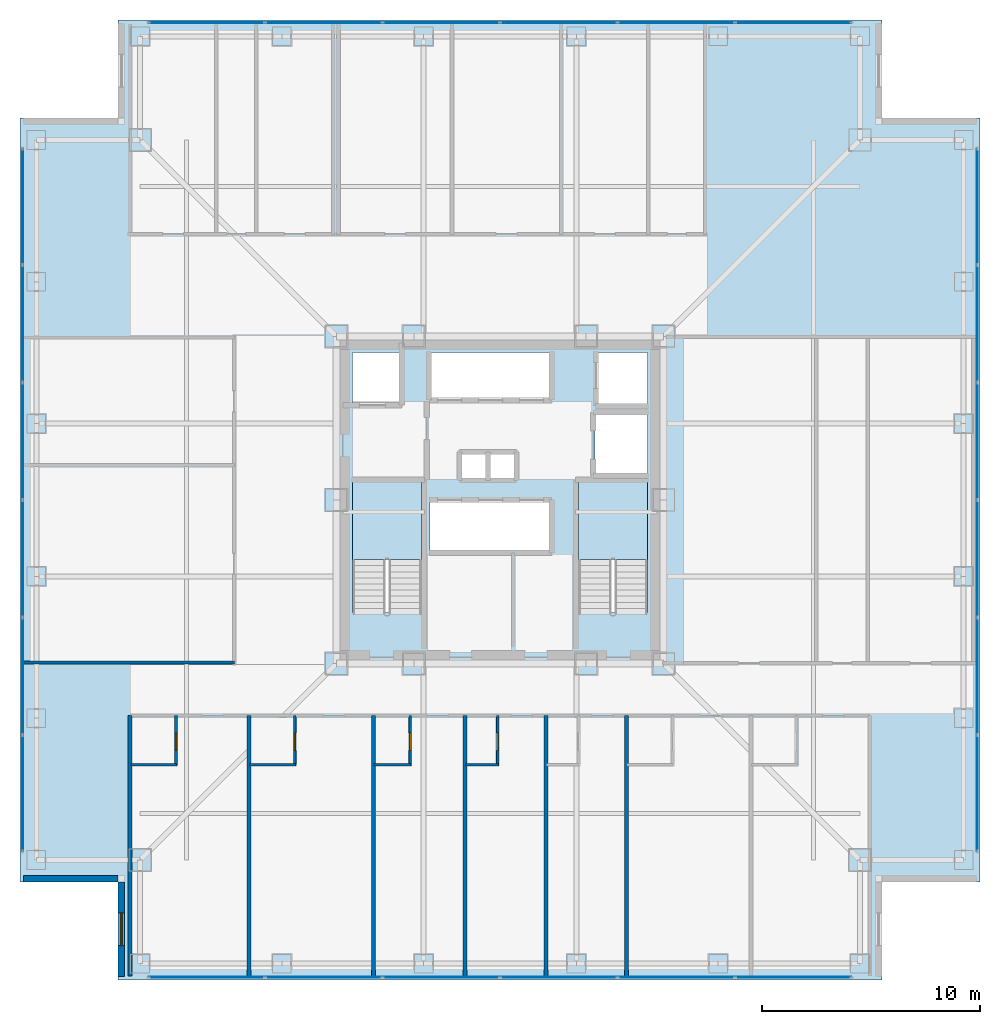
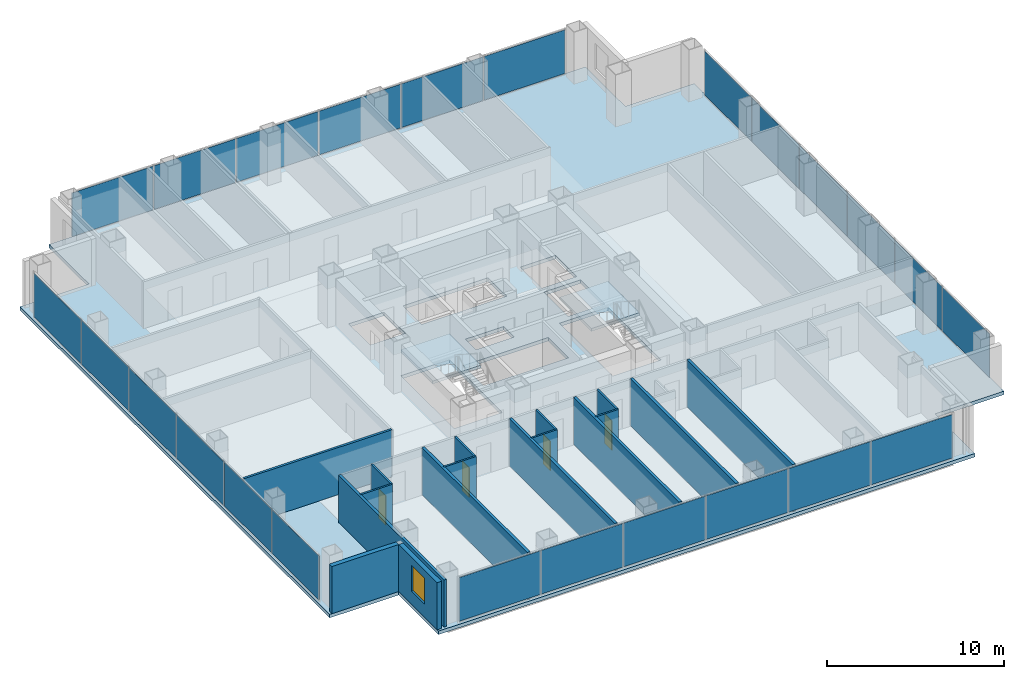
# One storey, part 12 of 18: 24 plates, 17 walls, 4 doors, 3 slabs, 1 window, 5 openings, 6 elements without a shape of their own.
"""IFC4 building model written with IfcOpenShell, lengths in metres."""

from ifc_helpers import new_model, si_unit, direction, frame, frame_2d, origin, origin_2d, place, context, subcontext, project, spatial, polyline, rectangle, outline, extrude, material, layer, layer_set, type_object, element, fill, aggregate, save


model = new_model("IFC4")

# Units and contexts
model_context = context("Model", 3, precision=1e-05, world=origin(), true_north=direction((0.0, 1.0)))
body_context = subcontext(model_context, "Body", "Model", "MODEL_VIEW")
ifc_project = project(units=[si_unit("LENGTHUNIT", "METRE"), si_unit("AREAUNIT", "SQUARE_METRE"), si_unit("VOLUMEUNIT", "CUBIC_METRE"), si_unit("PLANEANGLEUNIT", "RADIAN"), si_unit("MASSUNIT", "GRAM", prefix="KILO")], contexts=[model_context])

# Site, building, storey
site_placement = place(None, origin())
site = spatial("IfcSite", under=ifc_project, at=site_placement, CompositionType="ELEMENT")
building_placement = place(site_placement, origin())
building = spatial("IfcBuilding", under=site, at=building_placement, Name="Trevonay Congress Spire", CompositionType="ELEMENT")
storey_placement = place(building_placement, frame((0.0, 0.0, 151.60009765625)))
storey = spatial("IfcBuildingStorey", under=building, at=storey_placement, Name="L39", CompositionType="ELEMENT", Elevation=151.60009765625)

# Curtain wall, plates
ifc_material_1 = material(Name="Pale Anodised Aluminium EN AW-6063-T6", Category="aluminium")
ifc_layer_1 = layer(ifc_material_1, 0.175048828125, Name="Pale Anodised Aluminium EN AW-6063-T6")
ifc_layer_set_1 = layer_set([ifc_layer_1], Name="Pale Anodised Aluminium EN AW-6063-T6")
curtain_wall_type = type_object("IfcCurtainWallType", Name="CW-SYS03-CONGRESS-PALE-METAL", PredefinedType="NOTDEFINED", material=ifc_layer_set_1)
curtain_wall_1_placement = place(storey_placement, origin())
curtain_wall_1 = element("IfcCurtainWall", 1, at=curtain_wall_1_placement, inside=storey, type_object=curtain_wall_type, Name="L39 S unitised curtain wall", PredefinedType="NOTDEFINED")
ifc_material_2 = material(Name="Insulated Low-E Vision Glass IGU", Category="glass")
ifc_layer_2 = layer(ifc_material_2, 0.035888671875, Name="Insulated Low-E Vision Glass IGU")
ifc_layer_set_2 = layer_set([ifc_layer_2], Name="Insulated Low-E Vision Glass IGU")
plate_type = type_object("IfcPlateType", Name="CW-PANEL-IGU36-SILVER", PredefinedType="CURTAIN_PANEL", material=ifc_layer_set_2)
plate_1_placement = place(storey_placement, frame((-13.443359375, -21.8798828125, 0.1201171875), z_axis=(0.0, 0.0, 1.0), x_axis=(1.0, 0.0, 0.0)))
plate_1 = element("IfcPlate", 2, at=plate_1_placement, type_object=plate_type, Name="CW03 panel 1.1", PredefinedType="CURTAIN_PANEL", context=body_context, shape_type="SweptSolid", body=[
    extrude(rectangle(XDim=5.293212890625, YDim=0.035888671875, at=origin_2d()), origin(), (0.0, 0.0, 1.0), 3.010009765625),
])
plate_2_placement = place(storey_placement, frame((-8.074951171875, -21.8798828125, 0.1201171875), z_axis=(0.0, 0.0, 1.0), x_axis=(1.0, 0.0, 0.0)))
plate_2 = element("IfcPlate", 3, at=plate_2_placement, type_object=plate_type, Name="CW03 panel 2.1", PredefinedType="CURTAIN_PANEL", context=body_context, shape_type="SweptSolid", body=[
    extrude(rectangle(XDim=5.3232421875, YDim=0.035888671875, at=origin_2d()), origin(), (0.0, 0.0, 1.0), 3.010009765625),
])
plate_3_placement = place(storey_placement, frame((-2.691650390625, -21.8798828125, 0.1201171875), z_axis=(0.0, 0.0, 1.0), x_axis=(1.0, 0.0, 0.0)))
plate_3 = element("IfcPlate", 4, at=plate_3_placement, type_object=plate_type, Name="CW03 panel 3.1", PredefinedType="CURTAIN_PANEL", context=body_context, shape_type="SweptSolid", body=[
    extrude(rectangle(XDim=5.3232421875, YDim=0.035888671875, at=origin_2d()), origin(), (0.0, 0.0, 1.0), 3.010009765625),
])
plate_4_placement = place(storey_placement, frame((2.691650390625, -21.8798828125, 0.1201171875), z_axis=(0.0, 0.0, 1.0), x_axis=(1.0, 0.0, 0.0)))
plate_4 = element("IfcPlate", 5, at=plate_4_placement, type_object=plate_type, Name="CW03 panel 4.1", PredefinedType="CURTAIN_PANEL", context=body_context, shape_type="SweptSolid", body=[
    extrude(rectangle(XDim=5.3232421875, YDim=0.035888671875, at=origin_2d()), origin(), (0.0, 0.0, 1.0), 3.010009765625),
])
plate_5_placement = place(storey_placement, frame((8.074951171875, -21.8798828125, 0.1201171875), z_axis=(0.0, 0.0, 1.0), x_axis=(1.0, 0.0, 0.0)))
plate_5 = element("IfcPlate", 6, at=plate_5_placement, type_object=plate_type, Name="CW03 panel 5.1", PredefinedType="CURTAIN_PANEL", context=body_context, shape_type="SweptSolid", body=[
    extrude(rectangle(XDim=5.3232421875, YDim=0.035888671875, at=origin_2d()), origin(), (0.0, 0.0, 1.0), 3.010009765625),
])
plate_6_placement = place(storey_placement, frame((13.443359375, -21.8798828125, 0.1201171875), z_axis=(0.0, 0.0, 1.0), x_axis=(1.0, 0.0, 0.0)))
plate_6 = element("IfcPlate", 7, at=plate_6_placement, type_object=plate_type, Name="CW03 panel 6.1", PredefinedType="CURTAIN_PANEL", context=body_context, shape_type="SweptSolid", body=[
    extrude(rectangle(XDim=5.293212890625, YDim=0.035888671875, at=origin_2d()), origin(), (0.0, 0.0, 1.0), 3.010009765625),
])
aggregate(curtain_wall_1, [plate_1, plate_2, plate_3, plate_4, plate_5, plate_6])

curtain_wall_2_placement = place(storey_placement, origin())
curtain_wall_2 = element("IfcCurtainWall", 8, at=curtain_wall_2_placement, inside=storey, type_object=curtain_wall_type, Name="L39 N unitised curtain wall", PredefinedType="NOTDEFINED")
plate_7_placement = place(storey_placement, frame((-13.443359375, 21.8798828125, 0.1201171875), z_axis=(0.0, 0.0, 1.0), x_axis=(1.0, 0.0, 0.0)))
plate_7 = element("IfcPlate", 9, at=plate_7_placement, type_object=plate_type, Name="CW03 panel 1.1", PredefinedType="CURTAIN_PANEL", context=body_context, shape_type="SweptSolid", body=[
    extrude(rectangle(XDim=5.293212890625, YDim=0.035888671875, at=origin_2d()), origin(), (0.0, 0.0, 1.0), 3.010009765625),
])
plate_8_placement = place(storey_placement, frame((-8.074951171875, 21.8798828125, 0.1201171875), z_axis=(0.0, 0.0, 1.0), x_axis=(1.0, 0.0, 0.0)))
plate_8 = element("IfcPlate", 10, at=plate_8_placement, type_object=plate_type, Name="CW03 panel 2.1", PredefinedType="CURTAIN_PANEL", context=body_context, shape_type="SweptSolid", body=[
    extrude(rectangle(XDim=5.3232421875, YDim=0.035888671875, at=origin_2d()), origin(), (0.0, 0.0, 1.0), 3.010009765625),
])
plate_9_placement = place(storey_placement, frame((-2.691650390625, 21.8798828125, 0.1201171875), z_axis=(0.0, 0.0, 1.0), x_axis=(1.0, 0.0, 0.0)))
plate_9 = element("IfcPlate", 11, at=plate_9_placement, type_object=plate_type, Name="CW03 panel 3.1", PredefinedType="CURTAIN_PANEL", context=body_context, shape_type="SweptSolid", body=[
    extrude(rectangle(XDim=5.3232421875, YDim=0.035888671875, at=origin_2d()), origin(), (0.0, 0.0, 1.0), 3.010009765625),
])
plate_10_placement = place(storey_placement, frame((2.691650390625, 21.8798828125, 0.1201171875), z_axis=(0.0, 0.0, 1.0), x_axis=(1.0, 0.0, 0.0)))
plate_10 = element("IfcPlate", 12, at=plate_10_placement, type_object=plate_type, Name="CW03 panel 4.1", PredefinedType="CURTAIN_PANEL", context=body_context, shape_type="SweptSolid", body=[
    extrude(rectangle(XDim=5.3232421875, YDim=0.035888671875, at=origin_2d()), origin(), (0.0, 0.0, 1.0), 3.010009765625),
])
plate_11_placement = place(storey_placement, frame((8.074951171875, 21.8798828125, 0.1201171875), z_axis=(0.0, 0.0, 1.0), x_axis=(1.0, 0.0, 0.0)))
plate_11 = element("IfcPlate", 13, at=plate_11_placement, type_object=plate_type, Name="CW03 panel 5.1", PredefinedType="CURTAIN_PANEL", context=body_context, shape_type="SweptSolid", body=[
    extrude(rectangle(XDim=5.3232421875, YDim=0.035888671875, at=origin_2d()), origin(), (0.0, 0.0, 1.0), 3.010009765625),
])
plate_12_placement = place(storey_placement, frame((13.443359375, 21.8798828125, 0.1201171875), z_axis=(0.0, 0.0, 1.0), x_axis=(1.0, 0.0, 0.0)))
plate_12 = element("IfcPlate", 14, at=plate_12_placement, type_object=plate_type, Name="CW03 panel 6.1", PredefinedType="CURTAIN_PANEL", context=body_context, shape_type="SweptSolid", body=[
    extrude(rectangle(XDim=5.293212890625, YDim=0.035888671875, at=origin_2d()), origin(), (0.0, 0.0, 1.0), 3.010009765625),
])
aggregate(curtain_wall_2, [plate_7, plate_8, plate_9, plate_10, plate_11, plate_12])

curtain_wall_3_placement = place(storey_placement, origin())
curtain_wall_3 = element("IfcCurtainWall", 15, at=curtain_wall_3_placement, inside=storey, type_object=curtain_wall_type, Name="L39 W unitised curtain wall", PredefinedType="NOTDEFINED")
plate_13_placement = place(storey_placement, frame((-21.8798828125, -13.443359375, 0.1201171875), z_axis=(0.0, 0.0, 1.0), x_axis=(0.0, 1.0, 0.0)))
plate_13 = element("IfcPlate", 16, at=plate_13_placement, type_object=plate_type, Name="CW03 panel 1.1", PredefinedType="CURTAIN_PANEL", context=body_context, shape_type="SweptSolid", body=[
    extrude(rectangle(XDim=5.293212890625, YDim=0.035888671875, at=origin_2d()), origin(), (0.0, 0.0, 1.0), 3.010009765625),
])
plate_14_placement = place(storey_placement, frame((-21.8798828125, -8.074951171875, 0.1201171875), z_axis=(0.0, 0.0, 1.0), x_axis=(0.0, 1.0, 0.0)))
plate_14 = element("IfcPlate", 17, at=plate_14_placement, type_object=plate_type, Name="CW03 panel 2.1", PredefinedType="CURTAIN_PANEL", context=body_context, shape_type="SweptSolid", body=[
    extrude(rectangle(XDim=5.3232421875, YDim=0.035888671875, at=origin_2d()), origin(), (0.0, 0.0, 1.0), 3.010009765625),
])
plate_15_placement = place(storey_placement, frame((-21.8798828125, -2.691650390625, 0.1201171875), z_axis=(0.0, 0.0, 1.0), x_axis=(0.0, 1.0, 0.0)))
plate_15 = element("IfcPlate", 18, at=plate_15_placement, type_object=plate_type, Name="CW03 panel 3.1", PredefinedType="CURTAIN_PANEL", context=body_context, shape_type="SweptSolid", body=[
    extrude(rectangle(XDim=5.3232421875, YDim=0.035888671875, at=origin_2d()), origin(), (0.0, 0.0, 1.0), 3.010009765625),
])
plate_16_placement = place(storey_placement, frame((-21.8798828125, 2.691650390625, 0.1201171875), z_axis=(0.0, 0.0, 1.0), x_axis=(0.0, 1.0, 0.0)))
plate_16 = element("IfcPlate", 19, at=plate_16_placement, type_object=plate_type, Name="CW03 panel 4.1", PredefinedType="CURTAIN_PANEL", context=body_context, shape_type="SweptSolid", body=[
    extrude(rectangle(XDim=5.3232421875, YDim=0.035888671875, at=origin_2d()), origin(), (0.0, 0.0, 1.0), 3.010009765625),
])
plate_17_placement = place(storey_placement, frame((-21.8798828125, 8.074951171875, 0.1201171875), z_axis=(0.0, 0.0, 1.0), x_axis=(0.0, 1.0, 0.0)))
plate_17 = element("IfcPlate", 20, at=plate_17_placement, type_object=plate_type, Name="CW03 panel 5.1", PredefinedType="CURTAIN_PANEL", context=body_context, shape_type="SweptSolid", body=[
    extrude(rectangle(XDim=5.3232421875, YDim=0.035888671875, at=origin_2d()), origin(), (0.0, 0.0, 1.0), 3.010009765625),
])
plate_18_placement = place(storey_placement, frame((-21.8798828125, 13.443359375, 0.1201171875), z_axis=(0.0, 0.0, 1.0), x_axis=(0.0, 1.0, 0.0)))
plate_18 = element("IfcPlate", 21, at=plate_18_placement, type_object=plate_type, Name="CW03 panel 6.1", PredefinedType="CURTAIN_PANEL", context=body_context, shape_type="SweptSolid", body=[
    extrude(rectangle(XDim=5.293212890625, YDim=0.035888671875, at=origin_2d()), origin(), (0.0, 0.0, 1.0), 3.010009765625),
])
aggregate(curtain_wall_3, [plate_13, plate_14, plate_15, plate_16, plate_17, plate_18])

curtain_wall_4_placement = place(storey_placement, origin())
curtain_wall_4 = element("IfcCurtainWall", 22, at=curtain_wall_4_placement, inside=storey, type_object=curtain_wall_type, Name="L39 E unitised curtain wall", PredefinedType="NOTDEFINED")
plate_19_placement = place(storey_placement, frame((21.8798828125, -13.443359375, 0.1201171875), z_axis=(0.0, 0.0, 1.0), x_axis=(0.0, 1.0, 0.0)))
plate_19 = element("IfcPlate", 23, at=plate_19_placement, type_object=plate_type, Name="CW03 panel 1.1", PredefinedType="CURTAIN_PANEL", context=body_context, shape_type="SweptSolid", body=[
    extrude(rectangle(XDim=5.293212890625, YDim=0.035888671875, at=origin_2d()), origin(), (0.0, 0.0, 1.0), 3.010009765625),
])
plate_20_placement = place(storey_placement, frame((21.8798828125, -8.074951171875, 0.1201171875), z_axis=(0.0, 0.0, 1.0), x_axis=(0.0, 1.0, 0.0)))
plate_20 = element("IfcPlate", 24, at=plate_20_placement, type_object=plate_type, Name="CW03 panel 2.1", PredefinedType="CURTAIN_PANEL", context=body_context, shape_type="SweptSolid", body=[
    extrude(rectangle(XDim=5.3232421875, YDim=0.035888671875, at=origin_2d()), origin(), (0.0, 0.0, 1.0), 3.010009765625),
])
plate_21_placement = place(storey_placement, frame((21.8798828125, -2.691650390625, 0.1201171875), z_axis=(0.0, 0.0, 1.0), x_axis=(0.0, 1.0, 0.0)))
plate_21 = element("IfcPlate", 25, at=plate_21_placement, type_object=plate_type, Name="CW03 panel 3.1", PredefinedType="CURTAIN_PANEL", context=body_context, shape_type="SweptSolid", body=[
    extrude(rectangle(XDim=5.3232421875, YDim=0.035888671875, at=origin_2d()), origin(), (0.0, 0.0, 1.0), 3.010009765625),
])
plate_22_placement = place(storey_placement, frame((21.8798828125, 2.691650390625, 0.1201171875), z_axis=(0.0, 0.0, 1.0), x_axis=(0.0, 1.0, 0.0)))
plate_22 = element("IfcPlate", 26, at=plate_22_placement, type_object=plate_type, Name="CW03 panel 4.1", PredefinedType="CURTAIN_PANEL", context=body_context, shape_type="SweptSolid", body=[
    extrude(rectangle(XDim=5.3232421875, YDim=0.035888671875, at=origin_2d()), origin(), (0.0, 0.0, 1.0), 3.010009765625),
])
plate_23_placement = place(storey_placement, frame((21.8798828125, 8.074951171875, 0.1201171875), z_axis=(0.0, 0.0, 1.0), x_axis=(0.0, 1.0, 0.0)))
plate_23 = element("IfcPlate", 27, at=plate_23_placement, type_object=plate_type, Name="CW03 panel 5.1", PredefinedType="CURTAIN_PANEL", context=body_context, shape_type="SweptSolid", body=[
    extrude(rectangle(XDim=5.3232421875, YDim=0.035888671875, at=origin_2d()), origin(), (0.0, 0.0, 1.0), 3.010009765625),
])
plate_24_placement = place(storey_placement, frame((21.8798828125, 13.443359375, 0.1201171875), z_axis=(0.0, 0.0, 1.0), x_axis=(0.0, 1.0, 0.0)))
plate_24 = element("IfcPlate", 28, at=plate_24_placement, type_object=plate_type, Name="CW03 panel 6.1", PredefinedType="CURTAIN_PANEL", context=body_context, shape_type="SweptSolid", body=[
    extrude(rectangle(XDim=5.293212890625, YDim=0.035888671875, at=origin_2d()), origin(), (0.0, 0.0, 1.0), 3.010009765625),
])
aggregate(curtain_wall_4, [plate_19, plate_20, plate_21, plate_22, plate_23, plate_24])

# Stair, slab
ifc_material_3 = material(Name="Concrete C40/50", Category="concrete")
stair_type_1 = type_object("IfcStairType", Name="STR-ST-1", PredefinedType="HALF_TURN_STAIR", material=ifc_material_3)
stair_1_placement = place(storey_placement, origin())
stair_1 = element("IfcStair", 29, at=stair_1_placement, inside=storey, type_object=stair_type_1, Name="L39 Protected Exit Stair ST-1", PredefinedType="HALF_TURN_STAIR")
ifc_layer_3 = layer(ifc_material_3, 0.199951171875, Name="Concrete C40/50")
ifc_layer_set_3 = layer_set([ifc_layer_3], Name="Concrete C40/50")
slab_type_1 = type_object("IfcSlabType", Name="SLB-STAIR-LAND-200", PredefinedType="LANDING", material=ifc_layer_set_3)
slab_1_placement = place(storey_placement, frame((0.0, 0.0, 1.599853515625)))
slab_1 = element("IfcSlab", 30, at=slab_1_placement, type_object=slab_type_1, Name="ST-1 landing 1", PredefinedType="LANDING", context=body_context, shape_type="SweptSolid", body=[
    extrude(outline(polyline([(-3.60009765625, -2.72998046875), (-3.60009765625, 0.85009765625), (-6.75, 0.85009765625), (-6.75, -2.72998046875), (-3.60009765625, -2.72998046875)])), origin(), (0.0, 0.0, 1.0), 0.199951171875),
])
aggregate(stair_1, [slab_1])

stair_type_2 = type_object("IfcStairType", Name="STR-ST-2", PredefinedType="HALF_TURN_STAIR", material=ifc_material_3)
stair_2_placement = place(storey_placement, origin())
stair_2 = element("IfcStair", 31, at=stair_2_placement, inside=storey, type_object=stair_type_2, Name="L39 Protected Exit Stair ST-2", PredefinedType="HALF_TURN_STAIR")
slab_2_placement = place(storey_placement, frame((0.0, 0.0, 1.599853515625)))
slab_2 = element("IfcSlab", 32, at=slab_2_placement, type_object=slab_type_1, Name="ST-2 landing 1", PredefinedType="LANDING", context=body_context, shape_type="SweptSolid", body=[
    extrude(outline(polyline([(6.75, -2.72998046875), (6.75, 0.85009765625), (3.60009765625, 0.85009765625), (3.60009765625, -2.72998046875), (6.75, -2.72998046875)])), origin(), (0.0, 0.0, 1.0), 0.199951171875),
])
aggregate(stair_2, [slab_2])

# Slab
ifc_layer_4 = layer(ifc_material_3, 0.239990234375, Name="Concrete C40/50")
ifc_layer_set_4 = layer_set([ifc_layer_4], Name="Concrete C40/50")
slab_type_2 = type_object("IfcSlabType", Name="SLB-TOW2-240", PredefinedType="FLOOR", material=ifc_layer_set_4)
slab_3_placement = place(storey_placement, frame((0.0, 0.0, -0.239990234375)))
element("IfcSlab", 33, at=slab_3_placement, inside=storey, type_object=slab_type_2, Name="L39 structural floor slab", PredefinedType="FLOOR", context=body_context, shape_type="SweptSolid", body=[
    extrude(outline(polyline([(-17.5, -22.0), (17.5, -22.0), (17.5, -17.5), (22.0, -17.5), (22.0, 17.5), (17.5, 17.5), (17.5, 22.0), (-17.5, 22.0), (-17.5, 17.5), (-22.0, 17.5), (-22.0, -17.5), (-17.5, -17.5), (-17.5, -22.0)]), holes=[polyline([(-3.60009765625, -5.14990234375), (-3.60009765625, 0.85009765625), (-6.75, 0.85009765625), (-6.75, -5.14990234375), (-3.60009765625, -5.14990234375)]), polyline([(6.75, -5.14990234375), (6.75, 0.85009765625), (3.60009765625, 0.85009765625), (3.60009765625, -5.14990234375), (6.75, -5.14990234375)]), polyline([(-3.199951171875, -2.35009765625), (2.340087890625, -2.35009765625), (2.340087890625, -0.050048828125), (-3.199951171875, -0.050048828125), (-3.199951171875, -2.35009765625)]), polyline([(-3.199951171875, 4.64990234375), (2.340087890625, 4.64990234375), (2.340087890625, 6.75), (-3.199951171875, 6.75), (-3.199951171875, 4.64990234375)]), polyline([(-6.75, 4.35009765625), (-4.449951171875, 4.35009765625), (-4.449951171875, 6.75), (-6.75, 6.75), (-6.75, 4.35009765625)]), polyline([(4.449951171875, 4.35009765625), (6.75, 4.35009765625), (6.75, 6.75), (4.449951171875, 6.75), (4.449951171875, 4.35009765625)]), polyline([(4.35009765625, 1.199951171875), (6.75, 1.199951171875), (6.75, 3.949951171875), (4.35009765625, 3.949951171875), (4.35009765625, 1.199951171875)]), polyline([(-1.800048828125, 0.949951171875), (0.699951171875, 0.949951171875), (0.699951171875, 2.14990234375), (-1.800048828125, 2.14990234375), (-1.800048828125, 0.949951171875)])]), origin(), (0.0, 0.0, 1.0), 0.239990234375),
])

# Wall, opening, door
ifc_layer_5 = layer(ifc_material_3, 0.1201171875, Name="Concrete C40/50")
ifc_layer_set_5 = layer_set([ifc_layer_5], Name="Concrete C40/50")
wall_type_1 = type_object("IfcWallType", Name="WAL-BATH-120", PredefinedType="PLUMBINGWALL", material=ifc_layer_set_5)
wall_1_placement = place(storey_placement, frame((-14.85009765625, -12.1298828125, 0.0), z_axis=(0.0, 0.0, 1.0), x_axis=(0.0, 1.0, 0.0)))
wall_1 = element("IfcWall", 34, at=wall_1_placement, inside=storey, type_object=wall_type_1, Name="L39 interior wall WH-L39S-BS1", PredefinedType="PLUMBINGWALL", context=body_context, shape_type="SweptSolid", body=[
    extrude(rectangle(XDim=2.25, YDim=0.1201171875, at=frame_2d((1.125, 0.0))), origin(), (0.0, 0.0, 1.0), 3.25),
])
opening_1_placement = place(wall_1_placement, frame((0.64990234375, 0.0, 0.0)))
opening_1 = element("IfcOpeningElement", 35, at=opening_1_placement, cuts=wall_1, Name="Opening D11", PredefinedType="OPENING", context=body_context, shape_type="SweptSolid", body=[
    extrude(rectangle(XDim=0.800048828125, YDim=2.050048828125, at=frame_2d((0.39990234375, 1.02490234375))), frame((0.0, 0.070068359375, 0.0), z_axis=(0.0, -1.0, 0.0), x_axis=(1.0, 0.0, 0.0)), (0.0, 0.0, 1.0), 0.14013671875),
])
door_type = type_object("IfcDoorType", Name="DOR-BATH-80", OperationType="NOTDEFINED", PredefinedType="DOOR", material=ifc_material_1)
door_1_placement = place(opening_1_placement, origin())
door_1 = element("IfcDoor", 36, at=door_1_placement, inside=storey, type_object=door_type, Name="L39 En-suite Bathroom Door", OperationType="SINGLE_SWING_LEFT", OverallHeight=2.050048828125, OverallWidth=0.800048828125, PredefinedType="DOOR", context=body_context, shape_type="SweptSolid", body=[
    extrude(rectangle(XDim=0.800048828125, YDim=2.050048828125, at=frame_2d((0.39990234375, 1.02490234375))), frame((0.0, 0.02490234375, 0.0), z_axis=(0.0, -1.0, 0.0), x_axis=(1.0, 0.0, 0.0)), (0.0, 0.0, 1.0), 0.050048828125),
])
fill(opening_1, door_1)

# Wall
wall_2_placement = place(storey_placement, frame((-16.919921875, -12.1298828125, 0.0), z_axis=(0.0, 0.0, 1.0), x_axis=(1.0, 0.0, 0.0)))
element("IfcWall", 37, at=wall_2_placement, inside=storey, type_object=wall_type_1, Name="L39 interior wall WH-L39S-BF1", PredefinedType="PLUMBINGWALL", context=body_context, shape_type="SweptSolid", body=[
    extrude(rectangle(XDim=2.099853515625, YDim=0.1201171875, at=frame_2d((1.0498046875, 0.0))), origin(), (0.0, 0.0, 1.0), 3.25),
])

# Wall, opening, door
wall_3_placement = place(storey_placement, frame((-9.39990234375, -12.1298828125, 0.0), z_axis=(0.0, 0.0, 1.0), x_axis=(0.0, 1.0, 0.0)))
wall_3 = element("IfcWall", 38, at=wall_3_placement, inside=storey, type_object=wall_type_1, Name="L39 interior wall WH-L39S-BS2", PredefinedType="PLUMBINGWALL", context=body_context, shape_type="SweptSolid", body=[
    extrude(rectangle(XDim=2.25, YDim=0.1201171875, at=frame_2d((1.125, 0.0))), origin(), (0.0, 0.0, 1.0), 3.25),
])
opening_2_placement = place(wall_3_placement, frame((0.64990234375, 0.0, 0.0)))
opening_2 = element("IfcOpeningElement", 39, at=opening_2_placement, cuts=wall_3, Name="Opening D11", PredefinedType="OPENING", context=body_context, shape_type="SweptSolid", body=[
    extrude(rectangle(XDim=0.800048828125, YDim=2.050048828125, at=frame_2d((0.39990234375, 1.02490234375))), frame((0.0, 0.070068359375, 0.0), z_axis=(0.0, -1.0, 0.0), x_axis=(1.0, 0.0, 0.0)), (0.0, 0.0, 1.0), 0.14013671875),
])
door_2_placement = place(opening_2_placement, origin())
door_2 = element("IfcDoor", 40, at=door_2_placement, inside=storey, type_object=door_type, Name="L39 En-suite Bathroom Door", OperationType="SINGLE_SWING_RIGHT", OverallHeight=2.050048828125, OverallWidth=0.800048828125, PredefinedType="DOOR", context=body_context, shape_type="SweptSolid", body=[
    extrude(rectangle(XDim=0.800048828125, YDim=2.050048828125, at=frame_2d((0.39990234375, 1.02490234375))), frame((0.0, 0.02490234375, 0.0), z_axis=(0.0, -1.0, 0.0), x_axis=(1.0, 0.0, 0.0)), (0.0, 0.0, 1.0), 0.050048828125),
])
fill(opening_2, door_2)

# Wall
wall_4_placement = place(storey_placement, frame((-11.469970703125, -12.1298828125, 0.0), z_axis=(0.0, 0.0, 1.0), x_axis=(1.0, 0.0, 0.0)))
element("IfcWall", 41, at=wall_4_placement, inside=storey, type_object=wall_type_1, Name="L39 interior wall WH-L39S-BF2", PredefinedType="PLUMBINGWALL", context=body_context, shape_type="SweptSolid", body=[
    extrude(rectangle(XDim=2.099853515625, YDim=0.1201171875, at=frame_2d((1.0498046875, 0.0))), origin(), (0.0, 0.0, 1.0), 3.25),
])

# Wall, opening, door
wall_5_placement = place(storey_placement, frame((-4.114990234375, -12.1298828125, 0.0), z_axis=(0.0, 0.0, 1.0), x_axis=(0.0, 1.0, 0.0)))
wall_5 = element("IfcWall", 42, at=wall_5_placement, inside=storey, type_object=wall_type_1, Name="L39 interior wall WH-L39S-BS3", PredefinedType="PLUMBINGWALL", context=body_context, shape_type="SweptSolid", body=[
    extrude(rectangle(XDim=2.25, YDim=0.1201171875, at=frame_2d((1.125, 0.0))), origin(), (0.0, 0.0, 1.0), 3.25),
])
opening_3_placement = place(wall_5_placement, frame((0.64990234375, 0.0, 0.0)))
opening_3 = element("IfcOpeningElement", 43, at=opening_3_placement, cuts=wall_5, Name="Opening D11", PredefinedType="OPENING", context=body_context, shape_type="SweptSolid", body=[
    extrude(rectangle(XDim=0.800048828125, YDim=2.050048828125, at=frame_2d((0.39990234375, 1.02490234375))), frame((0.0, 0.070068359375, 0.0), z_axis=(0.0, -1.0, 0.0), x_axis=(1.0, 0.0, 0.0)), (0.0, 0.0, 1.0), 0.14013671875),
])
door_3_placement = place(opening_3_placement, origin())
door_3 = element("IfcDoor", 44, at=door_3_placement, inside=storey, type_object=door_type, Name="L39 En-suite Bathroom Door", OperationType="SINGLE_SWING_LEFT", OverallHeight=2.050048828125, OverallWidth=0.800048828125, PredefinedType="DOOR", context=body_context, shape_type="SweptSolid", body=[
    extrude(rectangle(XDim=0.800048828125, YDim=2.050048828125, at=frame_2d((0.39990234375, 1.02490234375))), frame((0.0, 0.02490234375, 0.0), z_axis=(0.0, -1.0, 0.0), x_axis=(1.0, 0.0, 0.0)), (0.0, 0.0, 1.0), 0.050048828125),
])
fill(opening_3, door_3)

# Wall
wall_6_placement = place(storey_placement, frame((-5.77001953125, -12.1298828125, 0.0), z_axis=(0.0, 0.0, 1.0), x_axis=(1.0, 0.0, 0.0)))
element("IfcWall", 45, at=wall_6_placement, inside=storey, type_object=wall_type_1, Name="L39 interior wall WH-L39S-BF3", PredefinedType="PLUMBINGWALL", context=body_context, shape_type="SweptSolid", body=[
    extrude(rectangle(XDim=1.68505859375, YDim=0.1201171875, at=frame_2d((0.842529296875, 0.0))), origin(), (0.0, 0.0, 1.0), 3.25),
])

# Wall, opening, door
wall_7_placement = place(storey_placement, frame((-0.10498046875, -12.1298828125, 0.0), z_axis=(0.0, 0.0, 1.0), x_axis=(0.0, 1.0, 0.0)))
wall_7 = element("IfcWall", 46, at=wall_7_placement, inside=storey, type_object=wall_type_1, Name="L39 interior wall WH-L39S-BS4", PredefinedType="PLUMBINGWALL", context=body_context, shape_type="SweptSolid", body=[
    extrude(rectangle(XDim=2.25, YDim=0.1201171875, at=frame_2d((1.125, 0.0))), origin(), (0.0, 0.0, 1.0), 3.25),
])
opening_4_placement = place(wall_7_placement, frame((0.64990234375, 0.0, 0.0)))
opening_4 = element("IfcOpeningElement", 47, at=opening_4_placement, cuts=wall_7, Name="Opening D11", PredefinedType="OPENING", context=body_context, shape_type="SweptSolid", body=[
    extrude(rectangle(XDim=0.800048828125, YDim=2.050048828125, at=frame_2d((0.39990234375, 1.02490234375))), frame((0.0, 0.070068359375, 0.0), z_axis=(0.0, -1.0, 0.0), x_axis=(1.0, 0.0, 0.0)), (0.0, 0.0, 1.0), 0.14013671875),
])
door_4_placement = place(opening_4_placement, origin())
door_4 = element("IfcDoor", 48, at=door_4_placement, inside=storey, type_object=door_type, Name="L39 En-suite Bathroom Door", OperationType="SINGLE_SWING_RIGHT", OverallHeight=2.050048828125, OverallWidth=0.800048828125, PredefinedType="DOOR", context=body_context, shape_type="SweptSolid", body=[
    extrude(rectangle(XDim=0.800048828125, YDim=2.050048828125, at=frame_2d((0.39990234375, 1.02490234375))), frame((0.0, 0.02490234375, 0.0), z_axis=(0.0, -1.0, 0.0), x_axis=(1.0, 0.0, 0.0)), (0.0, 0.0, 1.0), 0.050048828125),
])
fill(opening_4, door_4)

# Wall
wall_8_placement = place(storey_placement, frame((-1.570068359375, -12.1298828125, 0.0), z_axis=(0.0, 0.0, 1.0), x_axis=(1.0, 0.0, 0.0)))
element("IfcWall", 49, at=wall_8_placement, inside=storey, type_object=wall_type_1, Name="L39 interior wall WH-L39S-BF4", PredefinedType="PLUMBINGWALL", context=body_context, shape_type="SweptSolid", body=[
    extrude(rectangle(XDim=1.4951171875, YDim=0.1201171875, at=frame_2d((0.74755859375, 0.0))), origin(), (0.0, 0.0, 1.0), 3.25),
])

# Wall, opening, window
ifc_material_4 = material(Name="Precast concrete C40/50", Category="concrete")
ifc_layer_6 = layer(ifc_material_4, 0.300048828125, Name="Precast concrete C40/50")
ifc_layer_set_6 = layer_set([ifc_layer_6], Name="Precast concrete C40/50")
wall_type_2 = type_object("IfcWallType", Name="WAL-EXT-PRECAST-300", PredefinedType="SOLIDWALL", material=ifc_layer_set_6)
wall_9_placement = place(storey_placement, frame((-17.35009765625, -21.85009765625, 0.0), z_axis=(0.0, 0.0, 1.0), x_axis=(0.0, 1.0, 0.0)))
wall_9 = element("IfcWall", 50, at=wall_9_placement, inside=storey, type_object=wall_type_2, Name="L39 SW re-entrant notch exterior wall 1", PredefinedType="SOLIDWALL", context=body_context, shape_type="SweptSolid", body=[
    extrude(rectangle(XDim=4.35009765625, YDim=0.300048828125, at=frame_2d((2.175048828125, 0.0))), origin(), (0.0, 0.0, 1.0), 3.25),
])
opening_5_placement = place(wall_9_placement, frame((1.425048828125, 0.0, 0.89990234375)))
opening_5 = element("IfcOpeningElement", 51, at=opening_5_placement, cuts=wall_9, Name="Opening WN03", PredefinedType="OPENING", context=body_context, shape_type="SweptSolid", body=[
    extrude(rectangle(XDim=1.5, YDim=1.800048828125, at=frame_2d((0.75, 0.89990234375))), frame((0.0, 0.16015625, 0.0), z_axis=(0.0, -1.0, 0.0), x_axis=(1.0, 0.0, 0.0)), (0.0, 0.0, 1.0), 0.320068359375),
])
window_type = type_object("IfcWindowType", Name="WIN-NOTCH-150X180", PartitioningType="SINGLE_PANEL", PredefinedType="WINDOW", material=ifc_material_2)
window_placement = place(opening_5_placement, origin())
window = element("IfcWindow", 52, at=window_placement, inside=storey, type_object=window_type, Name="L39 SW corner notch window", OverallHeight=1.800048828125, OverallWidth=1.5, PartitioningType="SINGLE_PANEL", PredefinedType="WINDOW", context=body_context, shape_type="SweptSolid", body=[
    extrude(rectangle(XDim=1.5, YDim=1.800048828125, at=frame_2d((0.75, 0.89990234375))), frame((0.0, 0.030029296875, 0.0), z_axis=(0.0, -1.0, 0.0), x_axis=(1.0, 0.0, 0.0)), (0.0, 0.0, 1.0), 0.06005859375),
])
fill(opening_5, window)

# Walls
wall_10_placement = place(storey_placement, frame((-21.85009765625, -17.35009765625, 0.0), z_axis=(0.0, 0.0, 1.0), x_axis=(1.0, 0.0, 0.0)))
element("IfcWall", 53, at=wall_10_placement, inside=storey, type_object=wall_type_2, Name="L39 SW re-entrant notch exterior wall 2", PredefinedType="SOLIDWALL", context=body_context, shape_type="SweptSolid", body=[
    extrude(rectangle(XDim=4.35009765625, YDim=0.300048828125, at=frame_2d((2.175048828125, 0.0))), origin(), (0.0, 0.0, 1.0), 3.25),
])
ifc_layer_7 = layer(ifc_material_3, 0.179931640625, Name="Concrete C40/50")
ifc_layer_set_7 = layer_set([ifc_layer_7], Name="Concrete C40/50")
wall_type_3 = type_object("IfcWallType", Name="WAL-HOTEL-180", PredefinedType="PARTITIONING", material=ifc_layer_set_7)
for number, where, z_axis, x_axis, name in (
    (54, (-16.949951171875, -21.820068359375, 0.0), (0.0, 0.0, 1.0), (0.0, 1.0, 0.0), "L39 interior wall WH-L39S-DIV1"),
    (55, (-11.5, -21.820068359375, 0.0), (0.0, 0.0, 1.0), (0.0, 1.0, 0.0), "L39 interior wall WH-L39S-DIV2"),
    (56, (-5.800048828125, -21.820068359375, 0.0), (0.0, 0.0, 1.0), (0.0, 1.0, 0.0), "L39 interior wall WH-L39S-DIV3"),
    (57, (-1.60009765625, -21.820068359375, 0.0), (0.0, 0.0, 1.0), (0.0, 1.0, 0.0), "L39 interior wall WH-L39S-DIV4"),
    (58, (2.10009765625, -21.820068359375, 0.0), (0.0, 0.0, 1.0), (0.0, 1.0, 0.0), "L39 interior wall WH-L39S-DIV5"),
    (59, (5.800048828125, -21.820068359375, 0.0), (0.0, 0.0, 1.0), (0.0, 1.0, 0.0), "L39 interior wall WH-L39S-DIV6"),
):
    element("IfcWall", number, at=place(storey_placement, frame(where, z_axis=z_axis, x_axis=x_axis)), inside=storey, type_object=wall_type_3, Name=name, PredefinedType="PARTITIONING", context=body_context, shape_type="SweptSolid", body=[
        extrude(rectangle(XDim=11.940185546875, YDim=0.179931640625, at=frame_2d((5.97021484375, 0.0))), origin(), (0.0, 0.0, 1.0), 3.25),
    ])
ifc_layer_8 = layer(ifc_material_3, 0.14990234375, Name="Concrete C40/50")
ifc_layer_set_8 = layer_set([ifc_layer_8], Name="Concrete C40/50")
wall_type_4 = type_object("IfcWallType", Name="WAL-PART-150", PredefinedType="PARTITIONING", material=ifc_layer_set_8)
wall_11_placement = place(storey_placement, frame((-21.820068359375, -7.449951171875, 0.0), z_axis=(0.0, 0.0, 1.0), x_axis=(1.0, 0.0, 0.0)))
element("IfcWall", 60, at=wall_11_placement, inside=storey, type_object=wall_type_4, Name="L39 interior wall WP-L39W-DIV1", PredefinedType="PARTITIONING", context=body_context, shape_type="SweptSolid", body=[
    extrude(rectangle(XDim=9.64013671875, YDim=0.14990234375, at=frame_2d((4.820068359375, 0.0))), origin(), (0.0, 0.0, 1.0), 3.25),
])

save(model, "model.ifc")
